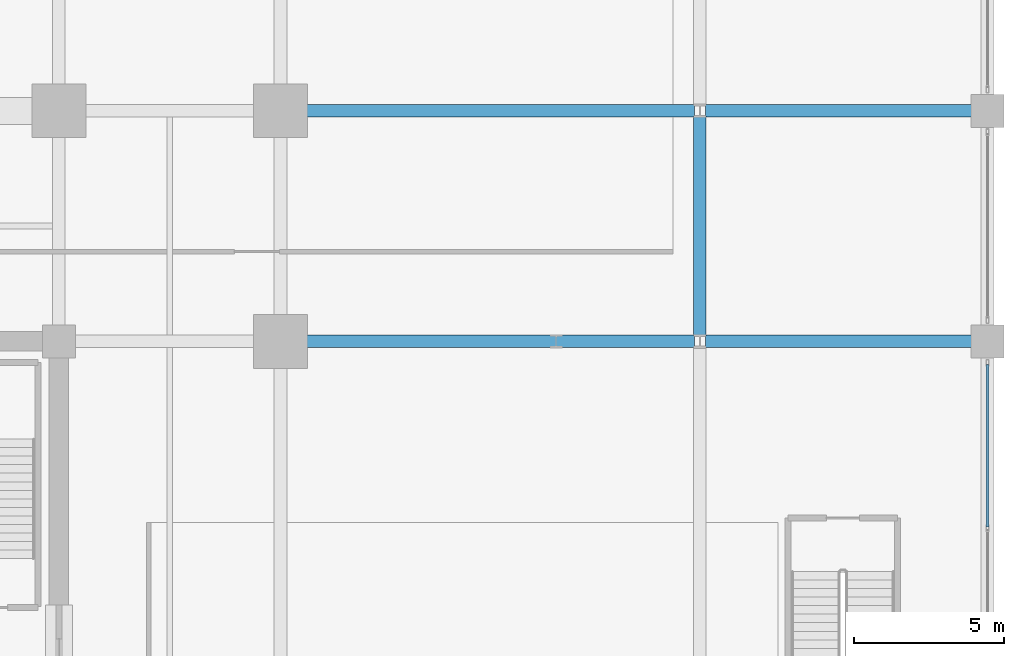
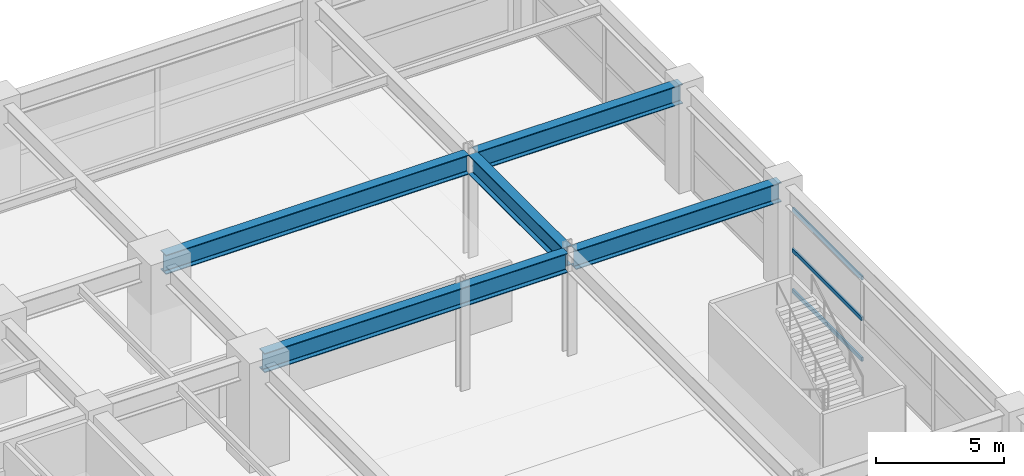
# One storey, part 30 of 45: 5 beams, 3 members, 1 element without a shape of its own.
"""IFC4 building model written with IfcOpenShell, lengths in metres."""

from ifc_helpers import new_model, si_unit, direction, frame, origin, origin_2d, place, context, subcontext, project, spatial, hollow_rectangle, i_section, extrude, material, material_profile, profile_set, type_object, element, aggregate, save


model = new_model("IFC4")

# Units and contexts
model_context = context("Model", 3, precision=1e-05, world=origin(), true_north=direction((0.0, 1.0)))
body_context = subcontext(model_context, "Body", "Model", "MODEL_VIEW")
ifc_project = project(units=[si_unit("LENGTHUNIT", "METRE"), si_unit("AREAUNIT", "SQUARE_METRE"), si_unit("VOLUMEUNIT", "CUBIC_METRE"), si_unit("PLANEANGLEUNIT", "RADIAN"), si_unit("MASSUNIT", "GRAM", prefix="KILO")], contexts=[model_context])

# Site, building, storey
site_placement = place(None, origin())
site = spatial("IfcSite", under=ifc_project, at=site_placement, CompositionType="ELEMENT")
building_placement = place(site_placement, origin())
building = spatial("IfcBuilding", under=site, at=building_placement, Name="Kovane Verandah Tower", CompositionType="ELEMENT")
storey_placement = place(building_placement, frame((0.0, 0.0, 6.0)))
storey = spatial("IfcBuildingStorey", under=building, at=storey_placement, Name="L01", CompositionType="ELEMENT", Elevation=6.0)

# Beams
ifc_material_1 = material(Name="Steel S460", Category="steel")
ifc_material_profile_1 = material_profile(ifc_material_1, i_section(OverallWidth=0.42041015625, OverallDepth=0.9208984375, WebThickness=0.021484375, FlangeThickness=0.03662109375, FilletRadius=0.024169921875, at=origin_2d()), Name="UB914x419x388")
ifc_profile_set_1 = profile_set([ifc_material_profile_1], Name="Steel S460")
beam_type = type_object("IfcBeamType", Name="BM-UB914x388", PredefinedType="BEAM", material=ifc_profile_set_1)
beam_1_placement = place(storey_placement, frame((58.580078125, 36.5, 4.439453125), z_axis=(1.0, 0.0, 0.0), x_axis=(0.0, 1.0, 0.0)))
element("IfcBeam", 1, at=beam_1_placement, inside=storey, type_object=beam_type, Name="L01 Podium Grid Girder X11", PredefinedType="BEAM", context=body_context, shape_type="SweptSolid", body=[
    extrude(i_section(OverallWidth=0.42041015625, OverallDepth=0.9208984375, WebThickness=0.021484375, FlangeThickness=0.03662109375, FilletRadius=0.024169921875, at=origin_2d()), origin(), (0.0, 0.0, 1.0), 13.639892578125),
])
beam_2_placement = place(storey_placement, frame((72.580078125, 36.5, 4.439453125), z_axis=(1.0, 0.0, 0.0), x_axis=(0.0, 1.0, 0.0)))
element("IfcBeam", 2, at=beam_2_placement, inside=storey, type_object=beam_type, Name="L01 Podium Grid Girder X12", PredefinedType="BEAM", context=body_context, shape_type="SweptSolid", body=[
    extrude(i_section(OverallWidth=0.42041015625, OverallDepth=0.9208984375, WebThickness=0.021484375, FlangeThickness=0.03662109375, FilletRadius=0.024169921875, at=origin_2d()), origin(), (0.0, 0.0, 1.0), 9.239990234375),
])
beam_3_placement = place(storey_placement, frame((58.580078125, 44.199951171875, 4.439453125), z_axis=(1.0, 0.0, 0.0), x_axis=(0.0, 1.0, 0.0)))
element("IfcBeam", 3, at=beam_3_placement, inside=storey, type_object=beam_type, Name="L01 Podium Grid Girder X15", PredefinedType="BEAM", context=body_context, shape_type="SweptSolid", body=[
    extrude(i_section(OverallWidth=0.42041015625, OverallDepth=0.9208984375, WebThickness=0.021484375, FlangeThickness=0.03662109375, FilletRadius=0.024169921875, at=origin_2d()), origin(), (0.0, 0.0, 1.0), 13.639892578125),
])
beam_4_placement = place(storey_placement, frame((72.580078125, 44.199951171875, 4.439453125), z_axis=(1.0, 0.0, 0.0), x_axis=(0.0, 1.0, 0.0)))
element("IfcBeam", 4, at=beam_4_placement, inside=storey, type_object=beam_type, Name="L01 Podium Grid Girder X16", PredefinedType="BEAM", context=body_context, shape_type="SweptSolid", body=[
    extrude(i_section(OverallWidth=0.42041015625, OverallDepth=0.9208984375, WebThickness=0.021484375, FlangeThickness=0.03662109375, FilletRadius=0.024169921875, at=origin_2d()), origin(), (0.0, 0.0, 1.0), 9.239990234375),
])
beam_5_placement = place(storey_placement, frame((72.39990234375, 36.679931640625, 4.439453125), z_axis=(0.0, 1.0, 0.0), x_axis=(-1.0, 0.0, 0.0)))
element("IfcBeam", 5, at=beam_5_placement, inside=storey, type_object=beam_type, Name="L01 Podium Grid Girder Y38", PredefinedType="BEAM", context=body_context, shape_type="SweptSolid", body=[
    extrude(i_section(OverallWidth=0.42041015625, OverallDepth=0.9208984375, WebThickness=0.021484375, FlangeThickness=0.03662109375, FilletRadius=0.024169921875, at=origin_2d()), origin(), (0.0, 0.0, 1.0), 7.340087890625),
])

# Curtain wall, members
ifc_material_2 = material(Name="Champagne Anodised Aluminium Frame with Low-E Clear Laminated Glass", Category="aluminium")
curtain_wall_type = type_object("IfcCurtainWallType", Name="CW-SYS-01-POD", PredefinedType="NOTDEFINED", material=ifc_material_2)
curtain_wall_placement = place(storey_placement, origin())
curtain_wall = element("IfcCurtainWall", 6, at=curtain_wall_placement, inside=storey, type_object=curtain_wall_type, Name="L01 East Podium Curtain Wall Bay 3", PredefinedType="NOTDEFINED")
ifc_material_3 = material(Name="Champagne Anodised Aluminium 6063-T6", Category="aluminium")
ifc_material_profile_2 = material_profile(ifc_material_3, hollow_rectangle(XDim=0.0849609375, YDim=0.18994140625, WallThickness=0.00390625, at=origin_2d()), Name="AL85x190x4")
ifc_profile_set_2 = profile_set([ifc_material_profile_2], Name="Champagne Anodised Aluminium 6063-T6")
member_type = type_object("IfcMemberType", Name="CW-TRN-85x190", PredefinedType="USERDEFINED", material=ifc_profile_set_2)
member_1_placement = place(storey_placement, frame((82.0, 30.31005859375, 0.050048828125), z_axis=(0.0, 1.0, 0.0), x_axis=(-1.0, 0.0, 0.0)))
member_1 = element("IfcMember", 7, at=member_1_placement, type_object=member_type, Name="L01 East Podium Curtain Wall Bay 3 Transom TB Bay 3", ObjectType="TRANSOM", PredefinedType="USERDEFINED", context=body_context, shape_type="SweptSolid", body=[
    extrude(hollow_rectangle(XDim=0.0849609375, YDim=0.18994140625, WallThickness=0.00390625, at=origin_2d()), origin(), (0.0, 0.0, 1.0), 5.419921875),
])
member_2_placement = place(storey_placement, frame((82.0, 30.31005859375, 1.9794921875), z_axis=(0.0, 1.0, 0.0), x_axis=(-1.0, 0.0, 0.0)))
member_2 = element("IfcMember", 8, at=member_2_placement, type_object=member_type, Name="L01 East Podium Curtain Wall Bay 3 Transom TM Bay 3", ObjectType="TRANSOM", PredefinedType="USERDEFINED", context=body_context, shape_type="SweptSolid", body=[
    extrude(hollow_rectangle(XDim=0.0849609375, YDim=0.18994140625, WallThickness=0.00390625, at=origin_2d()), origin(), (0.0, 0.0, 1.0), 5.419921875),
])
member_3_placement = place(storey_placement, frame((82.0, 30.31005859375, 3.908935546875), z_axis=(0.0, 1.0, 0.0), x_axis=(-1.0, 0.0, 0.0)))
member_3 = element("IfcMember", 9, at=member_3_placement, type_object=member_type, Name="L01 East Podium Curtain Wall Bay 3 Transom TT Bay 3", ObjectType="TRANSOM", PredefinedType="USERDEFINED", context=body_context, shape_type="SweptSolid", body=[
    extrude(hollow_rectangle(XDim=0.0849609375, YDim=0.18994140625, WallThickness=0.00390625, at=origin_2d()), origin(), (0.0, 0.0, 1.0), 5.419921875),
])
aggregate(curtain_wall, [member_1, member_2, member_3])

save(model, "model.ifc")
